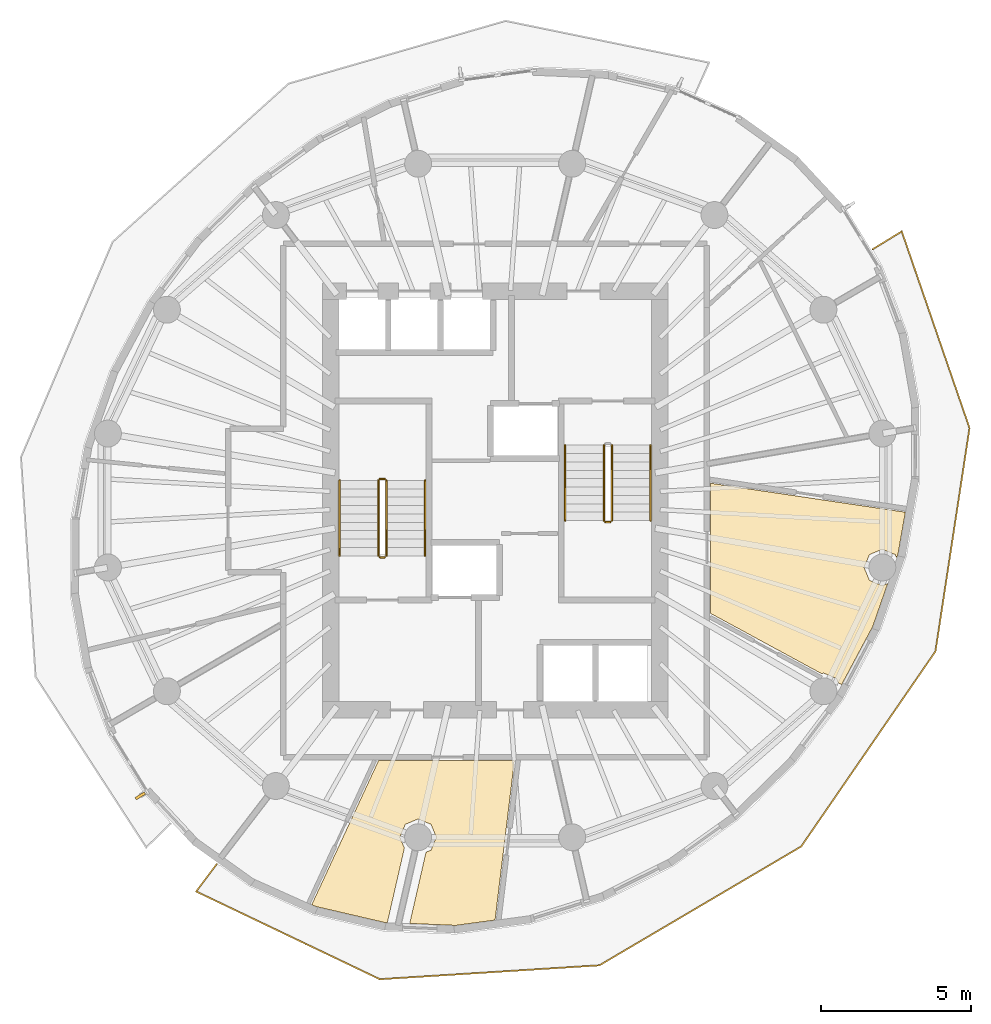
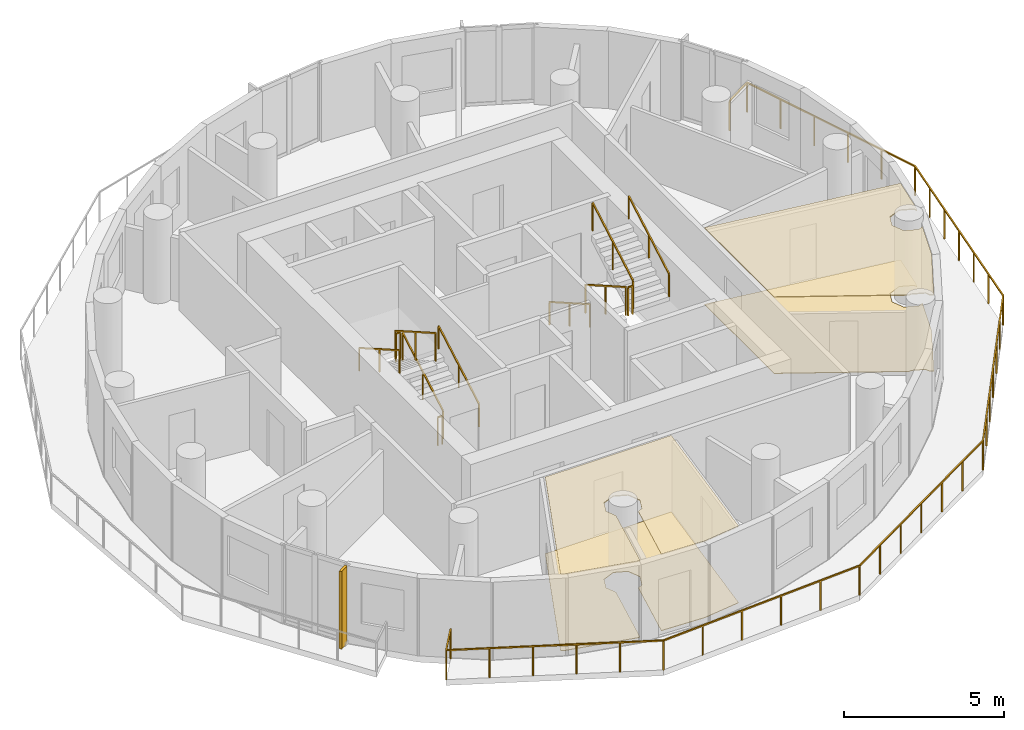
# One storey, part 8 of 10: 12 railings, 4 coverings, 1 shading device.
"""IFC4 building model written with IfcOpenShell, lengths in metres."""

from ifc_helpers import new_model, si_unit, direction, frame, origin, origin_2d, place, context, subcontext, project, spatial, polyline, rectangle, outline, extrude, material, layer, layer_set, type_object, element, save


model = new_model("IFC4")

# Units and contexts
model_context = context("Model", 3, precision=1e-05, world=origin(), true_north=direction((0.0, 1.0)))
body_context = subcontext(model_context, "Body", "Model", "MODEL_VIEW")
ifc_project = project(units=[si_unit("LENGTHUNIT", "METRE"), si_unit("AREAUNIT", "SQUARE_METRE"), si_unit("VOLUMEUNIT", "CUBIC_METRE"), si_unit("PLANEANGLEUNIT", "RADIAN"), si_unit("MASSUNIT", "GRAM", prefix="KILO")], contexts=[model_context])

# Site, building, storey
site_placement = place(None, origin())
site = spatial("IfcSite", under=ifc_project, at=site_placement, CompositionType="ELEMENT")
building_placement = place(site_placement, origin())
building = spatial("IfcBuilding", under=site, at=building_placement, Name="Veldorim Arch Residences", CompositionType="ELEMENT")
storey_placement = place(building_placement, frame((0.0, 0.0, 201.43994140625)))
storey = spatial("IfcBuildingStorey", under=building, at=storey_placement, Name="L60", CompositionType="ELEMENT", Elevation=201.43994140625)

# Railings
ifc_material_1 = material(Name="Aluminium", Category="aluminium")
railing_type_1 = type_object("IfcRailingType", Name="Balcony & Terrace Laminated Glass Balustrade 1150", PredefinedType="BALUSTRADE", material=ifc_material_1)
railing_1_placement = place(storey_placement, frame((22.690673828125, 11.8466796875, 0.0)))
element("IfcRailing", 1, at=railing_1_placement, inside=storey, type_object=railing_type_1, Name="L60 crescent balcony safety balustrade B", PredefinedType="BALUSTRADE", context=body_context, shape_type="SweptSolid", body=[
    extrude(rectangle(XDim=0.048095703125, YDim=0.048095703125, at=origin_2d()), frame((0.0, 0.0, 1.1259765625), z_axis=(-0.600237775512, -0.799821613142, 0.0), x_axis=(0.799821613142, -0.600237775512, 0.0)), (0.0, 0.0, 1.0), 1.14990234375),
    extrude(rectangle(XDim=0.048095703125, YDim=0.048095703125, at=origin_2d()), frame((-0.690185546875, -0.919677734375, 1.1259765625), z_axis=(0.902273129523, -0.431164933338, 0.0), x_axis=(0.431164933338, 0.902273129523, 0.0)), (0.0, 0.0, 1.0), 6.80908203125),
    extrude(rectangle(XDim=0.048095703125, YDim=0.048095703125, at=origin_2d()), frame((5.453369140625, -3.85546875, 1.1259765625), z_axis=(0.997999801771, 0.063217052017, 0.0), x_axis=(-0.063217052017, 0.997999801771, 0.0)), (0.0, 0.0, 1.0), 7.35693359375),
    extrude(rectangle(XDim=0.048095703125, YDim=0.048095703125, at=origin_2d()), frame((12.795654296875, -3.390380859375, 1.1259765625), z_axis=(0.861659209201, 0.507487346837, 0.0), x_axis=(-0.507487346837, 0.861659209201, 0.0)), (0.0, 0.0, 1.0), 7.83154296875),
    extrude(rectangle(XDim=0.048095703125, YDim=0.048095703125, at=origin_2d()), frame((19.543701171875, 0.583984375, 1.1259765625), z_axis=(0.566870275213, 0.823807071516, 0.0), x_axis=(-0.823807071516, 0.566870275213, 0.0)), (0.0, 0.0, 1.0), 7.9189453125),
    extrude(rectangle(XDim=0.048095703125, YDim=0.048095703125, at=origin_2d()), frame((24.03271484375, 7.107666015625, 1.1259765625), z_axis=(0.150906107118, 0.988548100415, 0.0), x_axis=(-0.988548100415, 0.150906107118, 0.0)), (0.0, 0.0, 1.0), 7.55517578125),
    extrude(rectangle(XDim=0.048095703125, YDim=0.048095703125, at=origin_2d()), frame((25.1728515625, 14.576416015625, 1.1259765625), z_axis=(-0.325929032945, 0.945394238127, 0.0), x_axis=(-0.945394238127, -0.325929032945, 0.0)), (0.0, 0.0, 1.0), 6.95654296875),
    extrude(rectangle(XDim=0.048095703125, YDim=0.048095703125, at=origin_2d()), frame((22.905517578125, 21.153076171875, 1.1259765625), z_axis=(-0.852546329169, -0.522651658967, 0.0), x_axis=(0.522651658967, -0.852546329169, 0.0)), (0.0, 0.0, 1.0), 1.150146484375),
    extrude(rectangle(XDim=0.0419921875, YDim=0.0419921875, at=origin_2d()), origin(), (0.0, 0.0, 1.0), 1.101806640625),
    extrude(rectangle(XDim=0.0419921875, YDim=0.0419921875, at=origin_2d()), frame((-0.690185546875, -0.919677734375, 0.0)), (0.0, 0.0, 1.0), 1.101806640625),
    extrude(rectangle(XDim=0.0419921875, YDim=0.0419921875, at=origin_2d()), frame((0.53857421875, -1.5068359375, 0.0)), (0.0, 0.0, 1.0), 1.101806640625),
    extrude(rectangle(XDim=0.0419921875, YDim=0.0419921875, at=origin_2d()), frame((1.767333984375, -2.093994140625, 0.0)), (0.0, 0.0, 1.0), 1.101806640625),
    extrude(rectangle(XDim=0.0419921875, YDim=0.0419921875, at=origin_2d()), frame((2.995849609375, -2.68115234375, 0.0)), (0.0, 0.0, 1.0), 1.101806640625),
    extrude(rectangle(XDim=0.0419921875, YDim=0.0419921875, at=origin_2d()), frame((4.224609375, -3.268310546875, 0.0)), (0.0, 0.0, 1.0), 1.101806640625),
    extrude(rectangle(XDim=0.0419921875, YDim=0.0419921875, at=origin_2d()), frame((5.453369140625, -3.85546875, 0.0)), (0.0, 0.0, 1.0), 1.101806640625),
    extrude(rectangle(XDim=0.0419921875, YDim=0.0419921875, at=origin_2d()), frame((6.921875, -3.762451171875, 0.0)), (0.0, 0.0, 1.0), 1.101806640625),
    extrude(rectangle(XDim=0.0419921875, YDim=0.0419921875, at=origin_2d()), frame((8.390380859375, -3.66943359375, 0.0)), (0.0, 0.0, 1.0), 1.101806640625),
    extrude(rectangle(XDim=0.0419921875, YDim=0.0419921875, at=origin_2d()), frame((9.858642578125, -3.576416015625, 0.0)), (0.0, 0.0, 1.0), 1.101806640625),
    extrude(rectangle(XDim=0.0419921875, YDim=0.0419921875, at=origin_2d()), frame((11.3271484375, -3.4833984375, 0.0)), (0.0, 0.0, 1.0), 1.101806640625),
    extrude(rectangle(XDim=0.0419921875, YDim=0.0419921875, at=origin_2d()), frame((12.795654296875, -3.390380859375, 0.0)), (0.0, 0.0, 1.0), 1.101806640625),
    extrude(rectangle(XDim=0.0419921875, YDim=0.0419921875, at=origin_2d()), frame((13.92041015625, -2.72802734375, 0.0)), (0.0, 0.0, 1.0), 1.101806640625),
    extrude(rectangle(XDim=0.0419921875, YDim=0.0419921875, at=origin_2d()), frame((15.044921875, -2.065673828125, 0.0)), (0.0, 0.0, 1.0), 1.101806640625),
    extrude(rectangle(XDim=0.0419921875, YDim=0.0419921875, at=origin_2d()), frame((16.169677734375, -1.4033203125, 0.0)), (0.0, 0.0, 1.0), 1.101806640625),
    extrude(rectangle(XDim=0.0419921875, YDim=0.0419921875, at=origin_2d()), frame((17.29443359375, -0.74072265625, 0.0)), (0.0, 0.0, 1.0), 1.101806640625),
    extrude(rectangle(XDim=0.0419921875, YDim=0.0419921875, at=origin_2d()), frame((18.4189453125, -0.078369140625, 0.0)), (0.0, 0.0, 1.0), 1.101806640625),
    extrude(rectangle(XDim=0.0419921875, YDim=0.0419921875, at=origin_2d()), frame((19.543701171875, 0.583984375, 0.0)), (0.0, 0.0, 1.0), 1.101806640625),
    extrude(rectangle(XDim=0.0419921875, YDim=0.0419921875, at=origin_2d()), frame((20.2919921875, 1.67138671875, 0.0)), (0.0, 0.0, 1.0), 1.101806640625),
    extrude(rectangle(XDim=0.0419921875, YDim=0.0419921875, at=origin_2d()), frame((21.0400390625, 2.758544921875, 0.0)), (0.0, 0.0, 1.0), 1.101806640625),
    extrude(rectangle(XDim=0.0419921875, YDim=0.0419921875, at=origin_2d()), frame((21.7880859375, 3.845703125, 0.0)), (0.0, 0.0, 1.0), 1.101806640625),
    extrude(rectangle(XDim=0.0419921875, YDim=0.0419921875, at=origin_2d()), frame((22.536376953125, 4.93310546875, 0.0)), (0.0, 0.0, 1.0), 1.101806640625),
    extrude(rectangle(XDim=0.0419921875, YDim=0.0419921875, at=origin_2d()), frame((23.28466796875, 6.0205078125, 0.0)), (0.0, 0.0, 1.0), 1.101806640625),
    extrude(rectangle(XDim=0.0419921875, YDim=0.0419921875, at=origin_2d()), frame((24.03271484375, 7.107666015625, 0.0)), (0.0, 0.0, 1.0), 1.101806640625),
    extrude(rectangle(XDim=0.0419921875, YDim=0.0419921875, at=origin_2d()), frame((24.22265625, 8.3525390625, 0.0)), (0.0, 0.0, 1.0), 1.101806640625),
    extrude(rectangle(XDim=0.0419921875, YDim=0.0419921875, at=origin_2d()), frame((24.412841796875, 9.59716796875, 0.0)), (0.0, 0.0, 1.0), 1.101806640625),
    extrude(rectangle(XDim=0.0419921875, YDim=0.0419921875, at=origin_2d()), frame((24.602783203125, 10.842041015625, 0.0)), (0.0, 0.0, 1.0), 1.101806640625),
    extrude(rectangle(XDim=0.0419921875, YDim=0.0419921875, at=origin_2d()), frame((24.792724609375, 12.0869140625, 0.0)), (0.0, 0.0, 1.0), 1.101806640625),
    extrude(rectangle(XDim=0.0419921875, YDim=0.0419921875, at=origin_2d()), frame((24.98291015625, 13.33154296875, 0.0)), (0.0, 0.0, 1.0), 1.101806640625),
    extrude(rectangle(XDim=0.0419921875, YDim=0.0419921875, at=origin_2d()), frame((25.1728515625, 14.576416015625, 0.0)), (0.0, 0.0, 1.0), 1.101806640625),
    extrude(rectangle(XDim=0.0419921875, YDim=0.0419921875, at=origin_2d()), frame((24.719482421875, 15.891845703125, 0.0)), (0.0, 0.0, 1.0), 1.101806640625),
    extrude(rectangle(XDim=0.0419921875, YDim=0.0419921875, at=origin_2d()), frame((24.265869140625, 17.20703125, 0.0)), (0.0, 0.0, 1.0), 1.101806640625),
    extrude(rectangle(XDim=0.0419921875, YDim=0.0419921875, at=origin_2d()), frame((23.8125, 18.5224609375, 0.0)), (0.0, 0.0, 1.0), 1.101806640625),
    extrude(rectangle(XDim=0.0419921875, YDim=0.0419921875, at=origin_2d()), frame((23.35888671875, 19.837646484375, 0.0)), (0.0, 0.0, 1.0), 1.101806640625),
    extrude(rectangle(XDim=0.0419921875, YDim=0.0419921875, at=origin_2d()), frame((22.905517578125, 21.153076171875, 0.0)), (0.0, 0.0, 1.0), 1.101806640625),
    extrude(rectangle(XDim=0.0419921875, YDim=0.0419921875, at=origin_2d()), frame((21.925048828125, 20.552001953125, 0.0)), (0.0, 0.0, 1.0), 1.101806640625),
])
ifc_material_2 = material(Name="Steel S355", Category="steel")
railing_type_2 = type_object("IfcRailingType", Name="Galvanised Steel Stair Safety Guardrail 1100", PredefinedType="GUARDRAIL", material=ifc_material_2)
railing_2_placement = place(storey_placement, frame((28.360107421875, 22.14990234375, 0.16015625)))
element("IfcRailing", 2, at=railing_2_placement, inside=storey, type_object=railing_type_2, Name="L60 ST-1 stair guard 1", PredefinedType="GUARDRAIL", context=body_context, shape_type="SweptSolid", body=[
    extrude(rectangle(XDim=0.048095703125, YDim=0.048095703125, at=origin_2d()), frame((0.0, 0.0, 1.076171875), z_axis=(0.0, 0.868253494771, 0.496120820787), x_axis=(-1.0, 0.0, 0.0)), (0.0, 0.0, 1.0), 2.90234375),
    extrude(rectangle(XDim=0.0419921875, YDim=0.0419921875, at=origin_2d()), origin(), (0.0, 0.0, 1.0), 1.052001953125),
    extrude(rectangle(XDim=0.0419921875, YDim=0.0419921875, at=origin_2d()), frame((0.0, 1.260009765625, 0.719970703125)), (0.0, 0.0, 1.0), 1.052001953125),
    extrude(rectangle(XDim=0.0419921875, YDim=0.0419921875, at=origin_2d()), frame((0.0, 2.52001953125, 1.43994140625)), (0.0, 0.0, 1.0), 1.052001953125),
])
railing_3_placement = place(storey_placement, frame((28.31005859375, 24.719970703125, 1.60009765625)))
element("IfcRailing", 3, at=railing_3_placement, inside=storey, type_object=railing_type_2, Name="L60 ST-1 stair guard 2", PredefinedType="GUARDRAIL", context=body_context, shape_type="SweptSolid", body=[
    extrude(rectangle(XDim=0.048095703125, YDim=0.048095703125, at=origin_2d()), frame((0.0, 0.0, 1.076171875), z_axis=(-1.0, 0.0, 0.0), x_axis=(0.0, -1.0, 0.0)), (0.0, 0.0, 1.0), 0.16015625),
    extrude(rectangle(XDim=0.0419921875, YDim=0.0419921875, at=origin_2d()), origin(), (0.0, 0.0, 1.0), 1.052001953125),
    extrude(rectangle(XDim=0.0419921875, YDim=0.0419921875, at=origin_2d()), frame((-0.16015625, 0.0, 0.0)), (0.0, 0.0, 1.0), 1.052001953125),
])
railing_4_placement = place(storey_placement, frame((28.10009765625, 24.669921875, 1.760009765625)))
element("IfcRailing", 4, at=railing_4_placement, inside=storey, type_object=railing_type_2, Name="L60 ST-1 stair guard 3", PredefinedType="GUARDRAIL", context=body_context, shape_type="SweptSolid", body=[
    extrude(rectangle(XDim=0.048095703125, YDim=0.048095703125, at=origin_2d()), frame((0.0, 0.0, 1.076171875), z_axis=(0.0, -0.868253494771, 0.496120820787), x_axis=(1.0, 0.0, 0.0)), (0.0, 0.0, 1.0), 2.90234375),
    extrude(rectangle(XDim=0.0419921875, YDim=0.0419921875, at=origin_2d()), origin(), (0.0, 0.0, 1.0), 1.052001953125),
    extrude(rectangle(XDim=0.0419921875, YDim=0.0419921875, at=origin_2d()), frame((0.0, -1.260009765625, 0.719970703125)), (0.0, 0.0, 1.0), 1.052001953125),
    extrude(rectangle(XDim=0.0419921875, YDim=0.0419921875, at=origin_2d()), frame((0.0, -2.52001953125, 1.43994140625)), (0.0, 0.0, 1.0), 1.052001953125),
])
railing_5_placement = place(storey_placement, frame((28.31005859375, 22.10009765625, 0.0)))
element("IfcRailing", 5, at=railing_5_placement, inside=storey, type_object=railing_type_2, Name="L60 ST-1 stair guard 4", PredefinedType="GUARDRAIL", context=body_context, shape_type="SweptSolid", body=[
    extrude(rectangle(XDim=0.048095703125, YDim=0.048095703125, at=origin_2d()), frame((0.0, 0.0, 1.076171875), z_axis=(-1.0, 0.0, 0.0), x_axis=(0.0, -1.0, 0.0)), (0.0, 0.0, 1.0), 0.16015625),
    extrude(rectangle(XDim=0.0419921875, YDim=0.0419921875, at=origin_2d()), origin(), (0.0, 0.0, 1.0), 1.052001953125),
    extrude(rectangle(XDim=0.0419921875, YDim=0.0419921875, at=origin_2d()), frame((-0.16015625, 0.0, 0.0)), (0.0, 0.0, 1.0), 1.052001953125),
])
railing_6_placement = place(storey_placement, frame((35.639892578125, 25.85009765625, 0.16015625)))
element("IfcRailing", 6, at=railing_6_placement, inside=storey, type_object=railing_type_2, Name="L60 ST-2 stair guard 1", PredefinedType="GUARDRAIL", context=body_context, shape_type="SweptSolid", body=[
    extrude(rectangle(XDim=0.048095703125, YDim=0.048095703125, at=origin_2d()), frame((0.0, 0.0, 1.076171875), z_axis=(0.0, -0.868253494771, 0.496120820787), x_axis=(1.0, 0.0, 0.0)), (0.0, 0.0, 1.0), 2.90234375),
    extrude(rectangle(XDim=0.0419921875, YDim=0.0419921875, at=origin_2d()), origin(), (0.0, 0.0, 1.0), 1.052001953125),
    extrude(rectangle(XDim=0.0419921875, YDim=0.0419921875, at=origin_2d()), frame((0.0, -1.260009765625, 0.719970703125)), (0.0, 0.0, 1.0), 1.052001953125),
    extrude(rectangle(XDim=0.0419921875, YDim=0.0419921875, at=origin_2d()), frame((0.0, -2.52001953125, 1.43994140625)), (0.0, 0.0, 1.0), 1.052001953125),
])
railing_7_placement = place(storey_placement, frame((35.68994140625, 23.280029296875, 1.60009765625)))
element("IfcRailing", 7, at=railing_7_placement, inside=storey, type_object=railing_type_2, Name="L60 ST-2 stair guard 2", PredefinedType="GUARDRAIL", context=body_context, shape_type="SweptSolid", body=[
    extrude(rectangle(XDim=0.048095703125, YDim=0.048095703125, at=origin_2d()), frame((0.0, 0.0, 1.076171875), z_axis=(1.0, 0.0, 0.0), x_axis=(0.0, 1.0, 0.0)), (0.0, 0.0, 1.0), 0.16015625),
    extrude(rectangle(XDim=0.0419921875, YDim=0.0419921875, at=origin_2d()), origin(), (0.0, 0.0, 1.0), 1.052001953125),
    extrude(rectangle(XDim=0.0419921875, YDim=0.0419921875, at=origin_2d()), frame((0.16015625, 0.0, 0.0)), (0.0, 0.0, 1.0), 1.052001953125),
])
railing_8_placement = place(storey_placement, frame((35.89990234375, 23.330078125, 1.760009765625)))
element("IfcRailing", 8, at=railing_8_placement, inside=storey, type_object=railing_type_2, Name="L60 ST-2 stair guard 3", PredefinedType="GUARDRAIL", context=body_context, shape_type="SweptSolid", body=[
    extrude(rectangle(XDim=0.048095703125, YDim=0.048095703125, at=origin_2d()), frame((0.0, 0.0, 1.076171875), z_axis=(0.0, 0.868253494771, 0.496120820787), x_axis=(-1.0, 0.0, 0.0)), (0.0, 0.0, 1.0), 2.90234375),
    extrude(rectangle(XDim=0.0419921875, YDim=0.0419921875, at=origin_2d()), origin(), (0.0, 0.0, 1.0), 1.052001953125),
    extrude(rectangle(XDim=0.0419921875, YDim=0.0419921875, at=origin_2d()), frame((0.0, 1.260009765625, 0.719970703125)), (0.0, 0.0, 1.0), 1.052001953125),
    extrude(rectangle(XDim=0.0419921875, YDim=0.0419921875, at=origin_2d()), frame((0.0, 2.52001953125, 1.43994140625)), (0.0, 0.0, 1.0), 1.052001953125),
])

# Coverings
ifc_material_3 = material(Name="Acoustic Gypsum & Mineral Fibre", Category="gypsum")
ifc_layer_1 = layer(ifc_material_3, 0.034912109375, Name="Perforated Acoustic Mineral-Fibre Ceiling 35")
ifc_layer_set_1 = layer_set([ifc_layer_1], Name="Acoustic Gypsum & Mineral Fibre")
covering_type_1 = type_object("IfcCoveringType", Name="Perforated Acoustic Mineral-Fibre Ceiling 35", PredefinedType="CEILING", material=ifc_layer_set_1)
covering_1_placement = place(storey_placement, frame((0.0, 0.0, 2.905029296875)))
element("IfcCovering", 9, at=covering_1_placement, inside=storey, type_object=covering_type_1, Name="L60 acoustic suspended ceiling 01", PredefinedType="CEILING", context=body_context, shape_type="SweptSolid", body=[
    extrude(outline(polyline([(28.395751953125, 9.889892578125), (28.287109375, 9.894287109375), (26.00927734375, 10.42333984375), (25.86767578125, 10.48681640625), (28.098876953125, 15.300048828125), (32.64404296875, 15.300048828125), (31.997314453125, 9.97119140625), (30.6796875, 9.792724609375), (29.142578125, 9.858154296875), (29.687255859375, 12.239501953125), (29.856201171875, 12.309326171875), (30.03466796875, 12.740478515625), (29.856201171875, 13.171875), (29.4248046875, 13.3505859375), (28.993408203125, 13.171875), (28.81494140625, 12.740478515625), (28.965087890625, 12.37841796875), (28.395751953125, 9.889892578125)])), origin(), (0.0, 0.0, 1.0), 0.034912109375),
])
covering_2_placement = place(storey_placement, frame((0.0, 0.0, 2.905029296875)))
element("IfcCovering", 10, at=covering_2_placement, inside=storey, type_object=covering_type_1, Name="L60 acoustic suspended ceiling 02", PredefinedType="CEILING", context=body_context, shape_type="SweptSolid", body=[
    extrude(outline(polyline([(44.624267578125, 19.78466796875), (43.5859375, 17.845458984375), (43.4658203125, 17.91064453125), (43.40673828125, 18.053466796875), (42.975341796875, 18.23193359375), (42.917724609375, 18.2080078125), (39.199951171875, 20.226806640625), (39.199951171875, 24.57861328125), (45.715087890625, 23.610107421875), (45.469970703125, 22.2119140625), (45.424072265625, 22.079833984375), (45.377685546875, 22.191650390625), (44.9462890625, 22.370361328125), (44.51513671875, 22.191650390625), (44.33642578125, 21.760498046875), (44.51513671875, 21.3291015625), (44.9462890625, 21.150390625), (45.126220703125, 21.22509765625), (44.624267578125, 19.78466796875)])), origin(), (0.0, 0.0, 1.0), 0.034912109375),
])
ifc_material_4 = material(Name="Porcelain Ceramic Tile", Category="ceramic")
ifc_layer_2 = layer(ifc_material_4, 0.02001953125, Name="Slip-Resistant Porcelain & Vinyl Floor Finish 20")
ifc_layer_set_2 = layer_set([ifc_layer_2], Name="Porcelain Ceramic Tile")
covering_type_2 = type_object("IfcCoveringType", Name="Slip-Resistant Porcelain & Vinyl Floor Finish 20", PredefinedType="FLOORING", material=ifc_layer_set_2)
covering_3_placement = place(storey_placement, origin())
element("IfcCovering", 11, at=covering_3_placement, inside=storey, type_object=covering_type_2, Name="L60 porcelain floor finish 01", PredefinedType="FLOORING", context=body_context, shape_type="SweptSolid", body=[
    extrude(outline(polyline([(28.395751953125, 9.889892578125), (28.287109375, 9.894287109375), (26.00927734375, 10.42333984375), (25.86767578125, 10.48681640625), (28.098876953125, 15.300048828125), (32.64404296875, 15.300048828125), (31.997314453125, 9.97119140625), (30.6796875, 9.792724609375), (29.142578125, 9.858154296875), (29.687255859375, 12.239501953125), (29.856201171875, 12.309326171875), (30.03466796875, 12.740478515625), (29.856201171875, 13.171875), (29.4248046875, 13.3505859375), (28.993408203125, 13.171875), (28.81494140625, 12.740478515625), (28.965087890625, 12.37841796875), (28.395751953125, 9.889892578125)])), origin(), (0.0, 0.0, 1.0), 0.02001953125),
])
covering_4_placement = place(storey_placement, origin())
element("IfcCovering", 12, at=covering_4_placement, inside=storey, type_object=covering_type_2, Name="L60 porcelain floor finish 02", PredefinedType="FLOORING", context=body_context, shape_type="SweptSolid", body=[
    extrude(outline(polyline([(44.624267578125, 19.78466796875), (43.5859375, 17.845458984375), (43.4658203125, 17.91064453125), (43.40673828125, 18.053466796875), (42.975341796875, 18.23193359375), (42.917724609375, 18.2080078125), (39.199951171875, 20.226806640625), (39.199951171875, 24.57861328125), (45.715087890625, 23.610107421875), (45.469970703125, 22.2119140625), (45.424072265625, 22.079833984375), (45.377685546875, 22.191650390625), (44.9462890625, 22.370361328125), (44.51513671875, 22.191650390625), (44.33642578125, 21.760498046875), (44.51513671875, 21.3291015625), (44.9462890625, 21.150390625), (45.126220703125, 21.22509765625), (44.624267578125, 19.78466796875)])), origin(), (0.0, 0.0, 1.0), 0.02001953125),
])

# Railings
ifc_material_5 = material(Name="Stainless Steel", Category="steel")
railing_type_3 = type_object("IfcRailingType", Name="Tubular Steel Continuous Wall Handrail 900", PredefinedType="HANDRAIL", material=ifc_material_5)
railing_9_placement = place(storey_placement, frame((29.659912109375, 22.14990234375, 0.16015625)))
element("IfcRailing", 13, at=railing_9_placement, inside=storey, type_object=railing_type_3, Name="L60 ST-1 stair handrail 1", PredefinedType="HANDRAIL", context=body_context, shape_type="SweptSolid", body=[
    extrude(rectangle(XDim=0.048095703125, YDim=0.048095703125, at=origin_2d()), frame((0.0, 0.0, 0.8759765625), z_axis=(0.0, 0.868253494771, 0.496120820787), x_axis=(-1.0, 0.0, 0.0)), (0.0, 0.0, 1.0), 2.90234375),
    extrude(rectangle(XDim=0.0419921875, YDim=0.0419921875, at=origin_2d()), origin(), (0.0, 0.0, 1.0), 0.851806640625),
    extrude(rectangle(XDim=0.0419921875, YDim=0.0419921875, at=origin_2d()), frame((0.0, 1.260009765625, 0.719970703125)), (0.0, 0.0, 1.0), 0.851806640625),
    extrude(rectangle(XDim=0.0419921875, YDim=0.0419921875, at=origin_2d()), frame((0.0, 2.52001953125, 1.43994140625)), (0.0, 0.0, 1.0), 0.851806640625),
])
for number, where, name in (
    (14, (26.800048828125, 24.669921875, 1.760009765625), "L60 ST-1 stair handrail 2"),
    (15, (34.340087890625, 25.85009765625, 0.16015625), "L60 ST-2 stair handrail 1"),
):
    element("IfcRailing", number, at=place(storey_placement, frame(where)), inside=storey, type_object=railing_type_3, Name=name, PredefinedType="HANDRAIL", context=body_context, shape_type="SweptSolid", body=[
        extrude(rectangle(XDim=0.048095703125, YDim=0.048095703125, at=origin_2d()), frame((0.0, 0.0, 0.8759765625), z_axis=(0.0, -0.868253494771, 0.496120820787), x_axis=(1.0, 0.0, 0.0)), (0.0, 0.0, 1.0), 2.90234375),
        extrude(rectangle(XDim=0.0419921875, YDim=0.0419921875, at=origin_2d()), origin(), (0.0, 0.0, 1.0), 0.851806640625),
        extrude(rectangle(XDim=0.0419921875, YDim=0.0419921875, at=origin_2d()), frame((0.0, -1.260009765625, 0.719970703125)), (0.0, 0.0, 1.0), 0.851806640625),
        extrude(rectangle(XDim=0.0419921875, YDim=0.0419921875, at=origin_2d()), frame((0.0, -2.52001953125, 1.43994140625)), (0.0, 0.0, 1.0), 0.851806640625),
    ])
railing_10_placement = place(storey_placement, frame((37.199951171875, 23.330078125, 1.760009765625)))
element("IfcRailing", 16, at=railing_10_placement, inside=storey, type_object=railing_type_3, Name="L60 ST-2 stair handrail 2", PredefinedType="HANDRAIL", context=body_context, shape_type="SweptSolid", body=[
    extrude(rectangle(XDim=0.048095703125, YDim=0.048095703125, at=origin_2d()), frame((0.0, 0.0, 0.8759765625), z_axis=(0.0, 0.868253494771, 0.496120820787), x_axis=(-1.0, 0.0, 0.0)), (0.0, 0.0, 1.0), 2.90234375),
    extrude(rectangle(XDim=0.0419921875, YDim=0.0419921875, at=origin_2d()), origin(), (0.0, 0.0, 1.0), 0.851806640625),
    extrude(rectangle(XDim=0.0419921875, YDim=0.0419921875, at=origin_2d()), frame((0.0, 1.260009765625, 0.719970703125)), (0.0, 0.0, 1.0), 0.851806640625),
    extrude(rectangle(XDim=0.0419921875, YDim=0.0419921875, at=origin_2d()), frame((0.0, 2.52001953125, 1.43994140625)), (0.0, 0.0, 1.0), 0.851806640625),
])

# Shading device
ifc_material_6 = material(Name="Terracotta Ceramic", Category="masonry")
ifc_layer_3 = layer(ifc_material_6, 0.090087890625, Name="Vertical Extruded Terracotta Baguette Sun-Shading Fin")
ifc_layer_set_3 = layer_set([ifc_layer_3], Name="Terracotta Ceramic")
shading_device_type = type_object("IfcShadingDeviceType", Name="Vertical Extruded Terracotta Baguette Sun-Shading Fin", PredefinedType="USERDEFINED", material=ifc_layer_set_3)
shading_device_placement = place(storey_placement, frame((20.133056640625, 14.124267578125, 0.0), z_axis=(0.0, 0.0, 1.0), x_axis=(-0.523837243597, 0.851818373963, 0.0)))
element("IfcShadingDevice", 17, at=shading_device_placement, inside=storey, type_object=shading_device_type, Name="L60 vertical terracotta sun-shading fin 17", ObjectType="FIN", PredefinedType="USERDEFINED", context=body_context, shape_type="SweptSolid", body=[
    extrude(rectangle(XDim=0.090087890625, YDim=0.360107421875, at=origin_2d()), origin(), (0.0, 0.0, 1.0), 2.9599609375),
])

save(model, "model.ifc")
